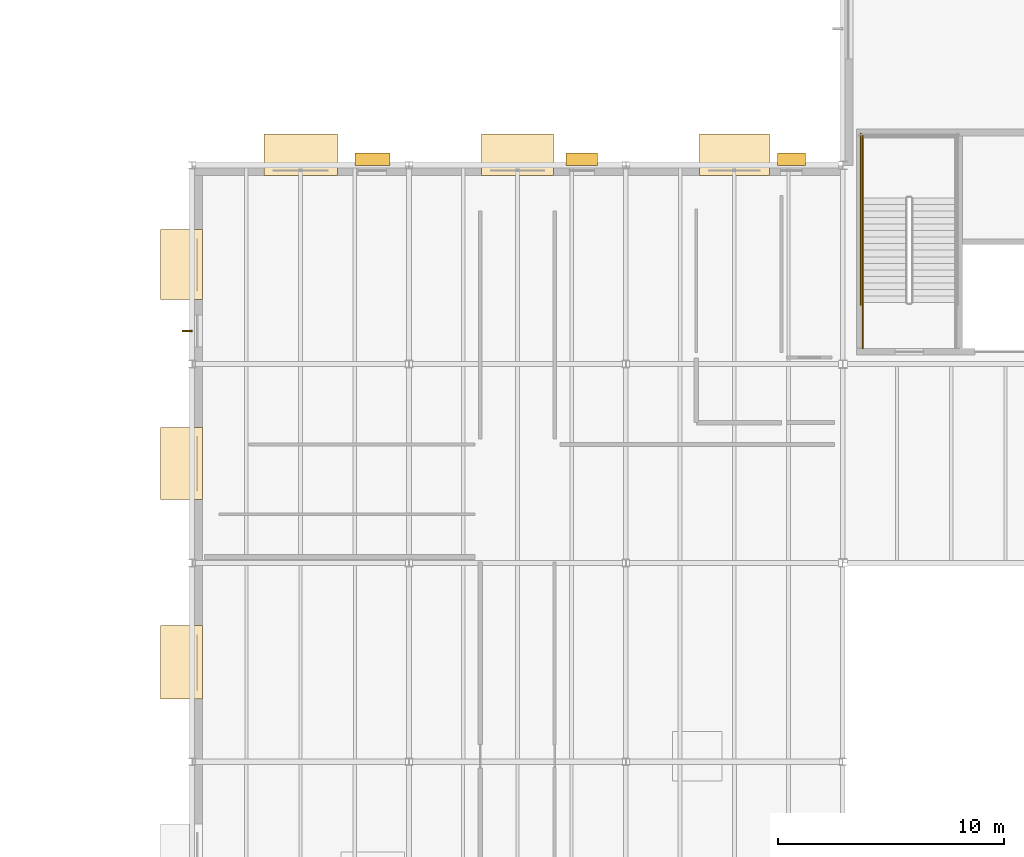
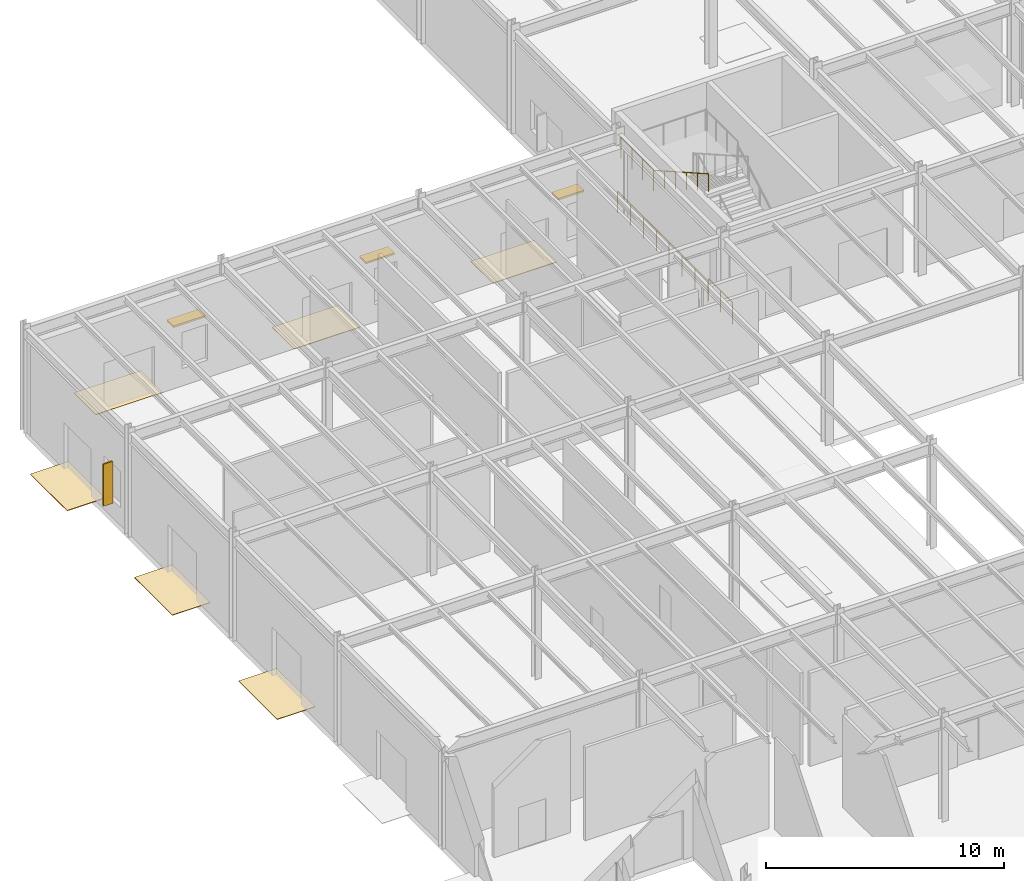
# One storey, part 62 of 70: 6 coverings, 4 railings, 4 shading devices.
"""IFC4 building model written with IfcOpenShell, lengths in metres."""

from ifc_helpers import new_model, si_unit, direction, frame, origin, origin_2d, place, context, subcontext, project, spatial, rectangle, circle, extrude, material, layer, layer_set, type_object, element, save


model = new_model("IFC4")

# Units and contexts
model_context = context("Model", 3, precision=1e-05, world=origin(), true_north=direction((0.0, 1.0)))
body_context = subcontext(model_context, "Body", "Model", "MODEL_VIEW")
ifc_project = project(units=[si_unit("LENGTHUNIT", "METRE"), si_unit("AREAUNIT", "SQUARE_METRE"), si_unit("VOLUMEUNIT", "CUBIC_METRE"), si_unit("PLANEANGLEUNIT", "RADIAN"), si_unit("MASSUNIT", "GRAM", prefix="KILO")], contexts=[model_context])

# Site, building, storey
site_placement = place(None, origin())
site = spatial("IfcSite", under=ifc_project, at=site_placement, CompositionType="ELEMENT")
building_placement = place(site_placement, origin())
building = spatial("IfcBuilding", under=site, at=building_placement, Name="Sarnbrook Museum", CompositionType="ELEMENT")
storey_placement = place(building_placement, origin())
storey = spatial("IfcBuildingStorey", under=building, at=storey_placement, Name="L00", CompositionType="ELEMENT", Elevation=0.0)

# Shading devices
ifc_material_1 = material(Name="Patinated Architectural Bronze")
shading_device_type_1 = type_object("IfcShadingDeviceType", Name="BriseSoleil_Horizontal", PredefinedType="SHUTTER", material=ifc_material_1)
shading_device_1_placement = place(storey_placement, frame((40.125, 92.27001953125, 2.76513671875), z_axis=(0.0, 0.0, 1.0), x_axis=(1.0, 0.0, 0.0)))
element("IfcShadingDevice", 1, at=shading_device_1_placement, inside=storey, type_object=shading_device_type_1, Name="Horizontal Bronze Brise-Soleil BS-007", PredefinedType="SHUTTER", context=body_context, shape_type="SweptSolid", body=[
    extrude(rectangle(XDim=1.25, YDim=0.550048828125, at=origin_2d()), origin(), (0.0, 0.0, 1.0), 0.090087890625),
])
shading_device_2_placement = place(storey_placement, frame((30.85009765625, 92.27001953125, 2.76513671875), z_axis=(0.0, 0.0, 1.0), x_axis=(1.0, 0.0, 0.0)))
element("IfcShadingDevice", 2, at=shading_device_2_placement, inside=storey, type_object=shading_device_type_1, Name="Horizontal Bronze Brise-Soleil BS-008", PredefinedType="SHUTTER", context=body_context, shape_type="SweptSolid", body=[
    extrude(rectangle(XDim=1.39990234375, YDim=0.550048828125, at=origin_2d()), origin(), (0.0, 0.0, 1.0), 0.090087890625),
])
shading_device_3_placement = place(storey_placement, frame((21.574951171875, 92.27001953125, 2.76513671875), z_axis=(0.0, 0.0, 1.0), x_axis=(1.0, 0.0, 0.0)))
element("IfcShadingDevice", 3, at=shading_device_3_placement, inside=storey, type_object=shading_device_type_1, Name="Horizontal Bronze Brise-Soleil BS-009", PredefinedType="SHUTTER", context=body_context, shape_type="SweptSolid", body=[
    extrude(rectangle(XDim=1.550048828125, YDim=0.550048828125, at=origin_2d()), origin(), (0.0, 0.0, 1.0), 0.090087890625),
])

# Railings
ifc_material_2 = material(Name="Brushed Stainless Steel Grade 316", Category="steel")
ifc_layer_1 = layer(ifc_material_2, 0.050048828125)
ifc_layer_set_1 = layer_set([ifc_layer_1], Name="Brushed Stainless Steel Grade 316")
railing_type_1 = type_object("IfcRailingType", Name="Guard_Int1120", PredefinedType="BALUSTRADE", material=ifc_layer_set_1)
railing_1_placement = place(storey_placement, frame((43.2900390625, 90.56005859375, 2.800048828125)))
element("IfcRailing", 4, at=railing_1_placement, inside=storey, type_object=railing_type_1, Name="L00 ST6 stair guard 4", PredefinedType="BALUSTRADE", context=body_context, shape_type="SweptSolid", body=[
    extrude(circle(Radius=0.02392578125, at=origin_2d()), frame((0.0, 0.0, 1.09619140625), z_axis=(0.0, 1.0, 0.0), x_axis=(-1.0, 0.0, 0.0)), (0.0, 0.0, 1.0), 2.739990234375),
    extrude(circle(Radius=0.02099609375, at=origin_2d()), origin(), (0.0, 0.0, 1.0), 1.072021484375),
    extrude(circle(Radius=0.02099609375, at=origin_2d()), frame((0.0, 0.913330078125, 0.0)), (0.0, 0.0, 1.0), 1.072021484375),
    extrude(circle(Radius=0.02099609375, at=origin_2d()), frame((0.0, 1.82666015625, 0.0)), (0.0, 0.0, 1.0), 1.072021484375),
    extrude(circle(Radius=0.02099609375, at=origin_2d()), frame((0.0, 2.739990234375, 0.0)), (0.0, 0.0, 1.0), 1.072021484375),
])
railing_2_placement = place(storey_placement, frame((43.2900390625, 83.89990234375, 0.0)))
element("IfcRailing", 5, at=railing_2_placement, inside=storey, type_object=railing_type_1, Name="L00 ST6 stair guard 9", PredefinedType="BALUSTRADE", context=body_context, shape_type="SweptSolid", body=[
    extrude(circle(Radius=0.02392578125, at=origin_2d()), frame((0.0, 0.0, 1.09619140625), z_axis=(0.0, 1.0, 0.0), x_axis=(-1.0, 0.0, 0.0)), (0.0, 0.0, 1.0), 2.02001953125),
    extrude(circle(Radius=0.02099609375, at=origin_2d()), origin(), (0.0, 0.0, 1.0), 1.072021484375),
    extrude(circle(Radius=0.02099609375, at=origin_2d()), frame((0.0, 1.010009765625, 0.0)), (0.0, 0.0, 1.0), 1.072021484375),
    extrude(circle(Radius=0.02099609375, at=origin_2d()), frame((0.0, 2.02001953125, 0.0)), (0.0, 0.0, 1.0), 1.072021484375),
])
railing_3_placement = place(storey_placement, frame((43.18994140625, 85.820068359375, 0.0)))
element("IfcRailing", 6, at=railing_3_placement, inside=storey, type_object=railing_type_1, Name="L00 ST6 stair guard 11", PredefinedType="BALUSTRADE", context=body_context, shape_type="SweptSolid", body=[
    extrude(circle(Radius=0.02392578125, at=origin_2d()), frame((0.0, 0.0, 1.09619140625), z_axis=(0.0, 1.0, 0.0), x_axis=(-1.0, 0.0, 0.0)), (0.0, 0.0, 1.0), 7.579833984375),
    extrude(circle(Radius=0.02099609375, at=origin_2d()), origin(), (0.0, 0.0, 1.0), 1.072021484375),
    extrude(circle(Radius=0.02099609375, at=origin_2d()), frame((0.0, 1.082763671875, 0.0)), (0.0, 0.0, 1.0), 1.072021484375),
    extrude(circle(Radius=0.02099609375, at=origin_2d()), frame((0.0, 2.165771484375, 0.0)), (0.0, 0.0, 1.0), 1.072021484375),
    extrude(circle(Radius=0.02099609375, at=origin_2d()), frame((0.0, 3.24853515625, 0.0)), (0.0, 0.0, 1.0), 1.072021484375),
    extrude(circle(Radius=0.02099609375, at=origin_2d()), frame((0.0, 4.331298828125, 0.0)), (0.0, 0.0, 1.0), 1.072021484375),
    extrude(circle(Radius=0.02099609375, at=origin_2d()), frame((0.0, 5.4140625, 0.0)), (0.0, 0.0, 1.0), 1.072021484375),
    extrude(circle(Radius=0.02099609375, at=origin_2d()), frame((0.0, 6.4970703125, 0.0)), (0.0, 0.0, 1.0), 1.072021484375),
    extrude(circle(Radius=0.02099609375, at=origin_2d()), frame((0.0, 7.579833984375, 0.0)), (0.0, 0.0, 1.0), 1.072021484375),
])
ifc_layer_2 = layer(ifc_material_2, 0.048095703125)
ifc_layer_set_2 = layer_set([ifc_layer_2], Name="Brushed Stainless Steel Grade 316")
railing_type_2 = type_object("IfcRailingType", Name="Handrail_920", PredefinedType="HANDRAIL", material=ifc_layer_set_2)
railing_4_placement = place(storey_placement, frame((43.2900390625, 90.56005859375, 2.964599609375)))
element("IfcRailing", 7, at=railing_4_placement, inside=storey, type_object=railing_type_2, Name="L00 ST6 stair handrail 2", PredefinedType="HANDRAIL", context=body_context, shape_type="SweptSolid", body=[
    extrude(circle(Radius=0.02392578125, at=origin_2d()), frame((0.0, 0.0, 0.8857421875), z_axis=(0.0, -0.869532470312, 0.493875776966), x_axis=(1.0, 0.0, 0.0)), (0.0, 0.0, 1.0), 5.33642578125),
    extrude(circle(Radius=0.02099609375, at=origin_2d()), origin(), (0.0, 0.0, 1.0), 0.86181640625),
    extrude(circle(Radius=0.02099609375, at=origin_2d()), frame((0.0, -0.927978515625, 0.527099609375)), (0.0, 0.0, 1.0), 0.86181640625),
    extrude(circle(Radius=0.02099609375, at=origin_2d()), frame((0.0, -1.85595703125, 1.05419921875)), (0.0, 0.0, 1.0), 0.86181640625),
    extrude(circle(Radius=0.02099609375, at=origin_2d()), frame((0.0, -2.7841796875, 1.581298828125)), (0.0, 0.0, 1.0), 0.86181640625),
    extrude(circle(Radius=0.02099609375, at=origin_2d()), frame((0.0, -3.712158203125, 2.1083984375)), (0.0, 0.0, 1.0), 0.86181640625),
    extrude(circle(Radius=0.02099609375, at=origin_2d()), frame((0.0, -4.64013671875, 2.635498046875)), (0.0, 0.0, 1.0), 0.86181640625),
])

# Coverings
ifc_material_3 = material(Name="Victorian Bluestone Ashlar Masonry", Category="masonry")
ifc_layer_3 = layer(ifc_material_3, 0.030029296875)
ifc_layer_set_3 = layer_set([ifc_layer_3], Name="Victorian Bluestone Ashlar Masonry")
covering_type = type_object("IfcCoveringType", Name="Paving_BluestoneApron", PredefinedType="FLOORING", material=ifc_layer_set_3)
covering_1_placement = place(storey_placement, frame((18.39990234375, 92.469970703125, -0.02978515625), z_axis=(0.0, 0.0, 1.0), x_axis=(1.0, 0.0, 0.0)))
element("IfcCovering", 8, at=covering_1_placement, inside=storey, type_object=covering_type, Name="Exterior Bluestone Entry Paving 22", PredefinedType="FLOORING", context=body_context, shape_type="SweptSolid", body=[
    extrude(rectangle(XDim=3.25, YDim=1.85009765625, at=origin_2d()), origin(), (0.0, 0.0, 1.0), 0.030029296875),
])
covering_2_placement = place(storey_placement, frame((28.0, 92.469970703125, -0.02978515625), z_axis=(0.0, 0.0, 1.0), x_axis=(1.0, 0.0, 0.0)))
element("IfcCovering", 9, at=covering_2_placement, inside=storey, type_object=covering_type, Name="Exterior Bluestone Entry Paving 23", PredefinedType="FLOORING", context=body_context, shape_type="SweptSolid", body=[
    extrude(rectangle(XDim=3.199951171875, YDim=1.85009765625, at=origin_2d()), origin(), (0.0, 0.0, 1.0), 0.030029296875),
])
covering_3_placement = place(storey_placement, frame((37.60009765625, 92.469970703125, -0.02978515625), z_axis=(0.0, 0.0, 1.0), x_axis=(1.0, 0.0, 0.0)))
element("IfcCovering", 10, at=covering_3_placement, inside=storey, type_object=covering_type, Name="Exterior Bluestone Entry Paving 24", PredefinedType="FLOORING", context=body_context, shape_type="SweptSolid", body=[
    extrude(rectangle(XDim=3.10009765625, YDim=1.85009765625, at=origin_2d()), origin(), (0.0, 0.0, 1.0), 0.030029296875),
])
covering_4_placement = place(storey_placement, frame((13.1298828125, 70.0, -0.02978515625), z_axis=(0.0, 0.0, 1.0), x_axis=(1.0, 0.0, 0.0)))
element("IfcCovering", 11, at=covering_4_placement, inside=storey, type_object=covering_type, Name="Exterior Bluestone Entry Paving 26", PredefinedType="FLOORING", context=body_context, shape_type="SweptSolid", body=[
    extrude(rectangle(XDim=1.85009765625, YDim=3.25, at=origin_2d()), origin(), (0.0, 0.0, 1.0), 0.030029296875),
])
covering_5_placement = place(storey_placement, frame((13.1298828125, 78.800048828125, -0.02978515625), z_axis=(0.0, 0.0, 1.0), x_axis=(1.0, 0.0, 0.0)))
element("IfcCovering", 12, at=covering_5_placement, inside=storey, type_object=covering_type, Name="Exterior Bluestone Entry Paving 27", PredefinedType="FLOORING", context=body_context, shape_type="SweptSolid", body=[
    extrude(rectangle(XDim=1.85009765625, YDim=3.199951171875, at=origin_2d()), origin(), (0.0, 0.0, 1.0), 0.030029296875),
])
covering_6_placement = place(storey_placement, frame((13.1298828125, 87.60009765625, -0.02978515625), z_axis=(0.0, 0.0, 1.0), x_axis=(1.0, 0.0, 0.0)))
element("IfcCovering", 13, at=covering_6_placement, inside=storey, type_object=covering_type, Name="Exterior Bluestone Entry Paving 28", PredefinedType="FLOORING", context=body_context, shape_type="SweptSolid", body=[
    extrude(rectangle(XDim=1.85009765625, YDim=3.10009765625, at=origin_2d()), origin(), (0.0, 0.0, 1.0), 0.030029296875),
])

# Shading device
shading_device_type_2 = type_object("IfcShadingDeviceType", Name="SunFin_VerticalBronze", PredefinedType="USERDEFINED", material=ifc_material_1)
shading_device_4_placement = place(storey_placement, frame((13.3798828125, 84.6640625, 0.75), z_axis=(0.0, 0.0, 1.0), x_axis=(1.0, 0.0, 0.0)))
element("IfcShadingDevice", 14, at=shading_device_4_placement, inside=storey, type_object=shading_device_type_2, Name="Vertical Bronze Sun-Shading Fin SF-003", ObjectType="FIN", PredefinedType="USERDEFINED", context=body_context, shape_type="SweptSolid", body=[
    extrude(rectangle(XDim=0.449951171875, YDim=0.080078125, at=origin_2d()), origin(), (0.0, 0.0, 1.0), 2.14990234375),
])

save(model, "model.ifc")
